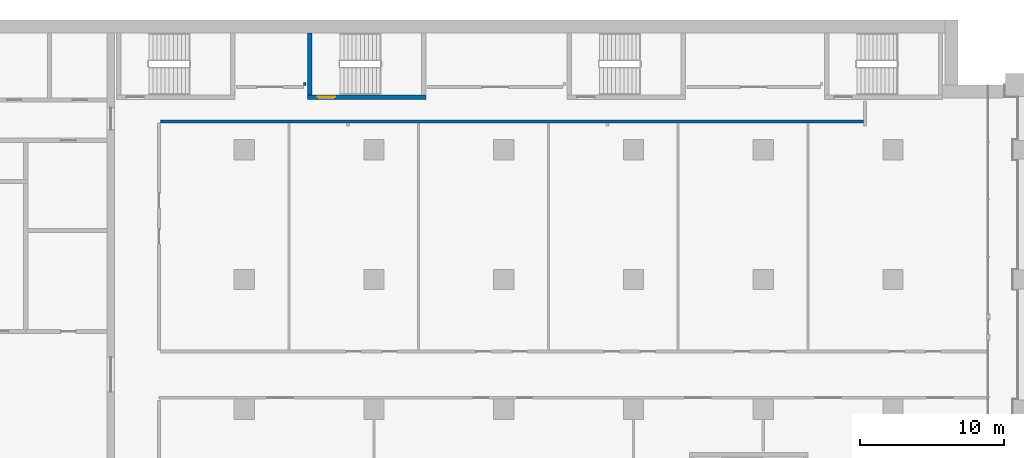
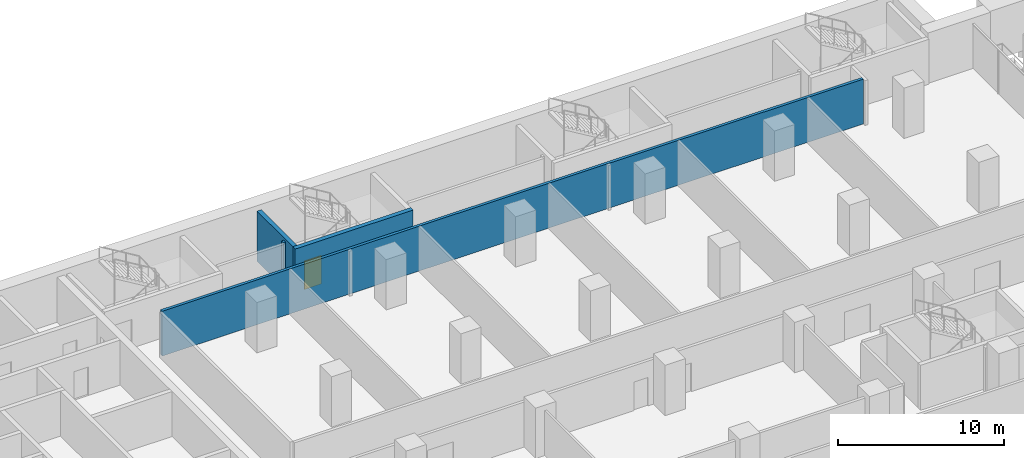
# One storey, part 16 of 29: 4 walls, 1 door, 1 opening.
"""IFC4 building model written with IfcOpenShell, lengths in metres."""

from ifc_helpers import new_model, si_unit, direction, frame, frame_2d, origin, place, context, subcontext, project, spatial, rectangle, extrude, material, layer, layer_set, type_object, element, fill, save


model = new_model("IFC4")

# Units and contexts
model_context = context("Model", 3, precision=1e-05, world=origin(), true_north=direction((0.0, 1.0)))
body_context = subcontext(model_context, "Body", "Model", "MODEL_VIEW")
ifc_project = project(units=[si_unit("LENGTHUNIT", "METRE"), si_unit("AREAUNIT", "SQUARE_METRE"), si_unit("VOLUMEUNIT", "CUBIC_METRE"), si_unit("PLANEANGLEUNIT", "RADIAN"), si_unit("MASSUNIT", "GRAM", prefix="KILO")], contexts=[model_context])

# Site, building, storey
site_placement = place(None, origin())
site = spatial("IfcSite", under=ifc_project, at=site_placement, CompositionType="ELEMENT")
building_placement = place(site_placement, origin())
building = spatial("IfcBuilding", under=site, at=building_placement, Name="Hunhe Ridgeline Campus", CompositionType="ELEMENT")
storey_placement = place(building_placement, frame((0.0, 0.0, 54.300048828125)))
storey = spatial("IfcBuildingStorey", under=building, at=storey_placement, Name="L12", CompositionType="ELEMENT", Elevation=54.300048828125)

# Walls
ifc_material_1 = material(Name="Gypsum board partition")
ifc_layer_1 = layer(ifc_material_1, 0.199951171875)
ifc_layer_set_1 = layer_set([ifc_layer_1], Name="Corridor partition 200 gypsum board on steel studs")
wall_type_1 = type_object("IfcWallType", Name="Corridor partition 200 gypsum board on steel studs", PredefinedType="PARTITIONING", material=ifc_layer_set_1)
wall_1_placement = place(storey_placement, frame((87.949951171875, 91.949951171875, 0.0), z_axis=(0.0, 0.0, 1.0), x_axis=(-1.0, 0.0, 0.0)))
element("IfcWall", 1, at=wall_1_placement, inside=storey, type_object=wall_type_1, Name="F-L12-wall-051", PredefinedType="PARTITIONING", context=body_context, shape_type="SweptSolid", body=[
    extrude(rectangle(XDim=48.75, YDim=0.199951171875, at=frame_2d((24.375, 0.0))), origin(), (0.0, 0.0, 1.0), 3.300048828125),
])
ifc_layer_2 = layer(ifc_material_1, 0.14990234375)
ifc_layer_set_2 = layer_set([ifc_layer_2], Name="Room partition 150 gypsum board on steel studs")
wall_type_2 = type_object("IfcWallType", Name="Room partition 150 gypsum board on steel studs", PredefinedType="PARTITIONING", material=ifc_layer_set_2)
wall_2_placement = place(storey_placement, frame((49.199951171875, 94.64990234375, 0.0), z_axis=(0.0, 0.0, 1.0), x_axis=(0.0, -1.0, 0.0)))
element("IfcWall", 2, at=wall_2_placement, inside=storey, type_object=wall_type_2, Name="F-L12-wall-073", PredefinedType="PARTITIONING", context=body_context, shape_type="SweptSolid", body=[
    extrude(rectangle(XDim=0.199951171875, YDim=0.14990234375, at=frame_2d((0.10009765625, 0.0))), origin(), (0.0, 0.0, 1.0), 3.300048828125),
])

# Wall, opening, door
ifc_material_2 = material(Name="Concrete C80", Category="concrete")
ifc_layer_3 = layer(ifc_material_2, 0.300048828125)
ifc_layer_set_3 = layer_set([ifc_layer_3], Name="Stair wall 300 reinforced concrete C80")
wall_type_3 = type_object("IfcWallType", Name="Stair wall 300 reinforced concrete C80", PredefinedType="SOLIDWALL", material=ifc_layer_set_3)
wall_3_placement = place(storey_placement, frame((49.39990234375, 93.64990234375, -0.400146484375), z_axis=(0.0, 0.0, 1.0), x_axis=(1.0, 0.0, 0.0)))
wall_3 = element("IfcWall", 3, at=wall_3_placement, inside=storey, type_object=wall_type_3, Name="L12 core wall 31", PredefinedType="SOLIDWALL", context=body_context, shape_type="SweptSolid", body=[
    extrude(rectangle(XDim=8.2001953125, YDim=0.300048828125, at=frame_2d((4.10009765625, 0.0))), origin(), (0.0, 0.0, 1.0), 3.7001953125),
])
opening_placement = place(wall_3_placement, frame((0.699951171875, 0.0, 0.39990234375)))
opening = element("IfcOpeningElement", 4, at=opening_placement, cuts=wall_3, Name="Opening CD18", PredefinedType="OPENING", context=body_context, shape_type="SweptSolid", body=[
    extrude(rectangle(XDim=1.199951171875, YDim=2.10009765625, at=frame_2d((0.60009765625, 1.050048828125))), frame((0.0, 0.14990234375, 0.0), z_axis=(0.0, -1.0, 0.0), x_axis=(1.0, 0.0, 0.0)), (0.0, 0.0, 1.0), 0.300048828125),
])
ifc_material_3 = material(Name="Hollow metal fire door leaf")
door_type = type_object("IfcDoorType", Name="Stair door 1200x2100 FD60", OperationType="SINGLE_SWING_LEFT", PredefinedType="DOOR", material=ifc_material_3)
door_placement = place(opening_placement, frame((1.199951171875, 0.0, 0.0), z_axis=(0.0, 0.0, 1.0), x_axis=(-1.0, 0.0, 0.0)))
door = element("IfcDoor", 5, at=door_placement, inside=storey, type_object=door_type, Name="L12 door E2", OperationType="SINGLE_SWING_LEFT", OverallHeight=2.10009765625, OverallWidth=1.199951171875, PredefinedType="DOOR", context=body_context, shape_type="SweptSolid", body=[
    extrude(rectangle(XDim=1.199951171875, YDim=2.10009765625, at=frame_2d((0.60009765625, 1.050048828125))), frame((0.0, 0.02490234375, 0.0), z_axis=(0.0, -1.0, 0.0), x_axis=(1.0, 0.0, 0.0)), (0.0, 0.0, 1.0), 0.050048828125),
])
fill(opening, door)

# Wall
wall_4_placement = place(storey_placement, frame((49.550048828125, 93.800048828125, -0.400146484375), z_axis=(0.0, 0.0, 1.0), x_axis=(0.0, 1.0, 0.0)))
element("IfcWall", 6, at=wall_4_placement, inside=storey, type_object=wall_type_3, Name="L12 core wall 67", PredefinedType="SOLIDWALL", context=body_context, shape_type="SweptSolid", body=[
    extrude(rectangle(XDim=4.300048828125, YDim=0.300048828125, at=frame_2d((2.14990234375, 0.0))), origin(), (0.0, 0.0, 1.0), 3.7001953125),
])

save(model, "model.ifc")
